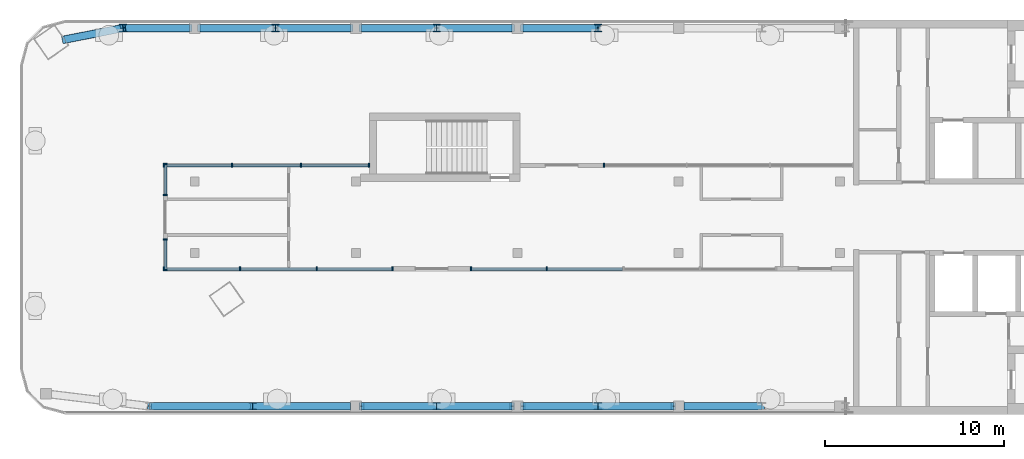
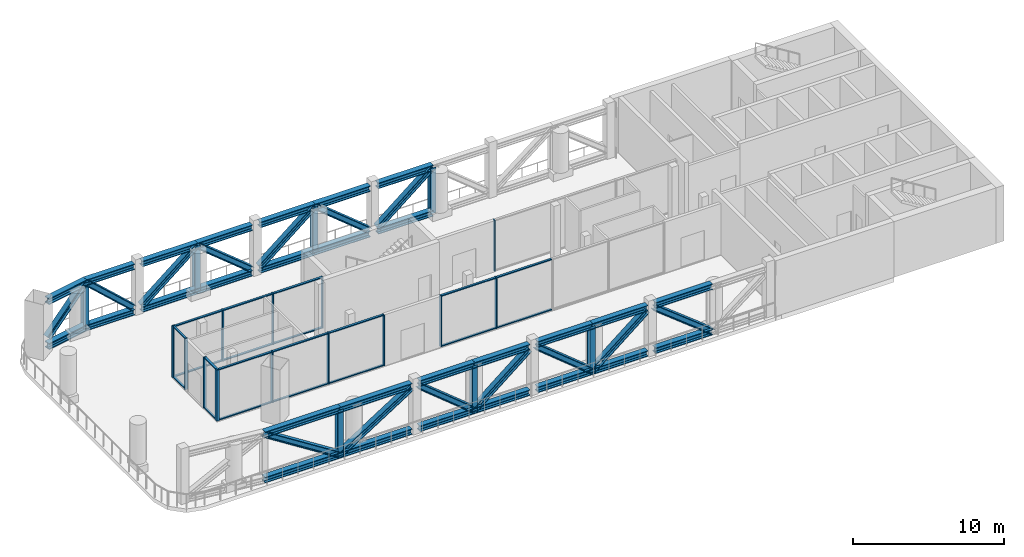
# One storey, part 2 of 9: 84 members, 6 elements without a shape of their own.
"""IFC4 building model written with IfcOpenShell, lengths in metres."""

from ifc_helpers import new_model, si_unit, direction, frame, origin, origin_2d, place, context, subcontext, project, spatial, rectangle, i_section, extrude, material, material_profile, profile_set, type_object, element, aggregate, save


model = new_model("IFC4")

# Units and contexts
model_context = context("Model", 3, precision=1e-05, world=origin(), true_north=direction((0.0, 1.0)))
body_context = subcontext(model_context, "Body", "Model", "MODEL_VIEW")
ifc_project = project(units=[si_unit("LENGTHUNIT", "METRE"), si_unit("AREAUNIT", "SQUARE_METRE"), si_unit("VOLUMEUNIT", "CUBIC_METRE"), si_unit("PLANEANGLEUNIT", "RADIAN"), si_unit("MASSUNIT", "GRAM", prefix="KILO")], contexts=[model_context])

# Site, building, storey
site_placement = place(None, origin())
site = spatial("IfcSite", under=ifc_project, at=site_placement, CompositionType="ELEMENT")
building_placement = place(site_placement, origin())
building = spatial("IfcBuilding", under=site, at=building_placement, Name="Skarvind Civic Tower", CompositionType="ELEMENT")
storey_placement = place(building_placement, frame((0.0, 0.0, 277.5)))
storey = spatial("IfcBuildingStorey", under=building, at=storey_placement, Name="L66", CompositionType="ELEMENT", Elevation=277.5)

# Curtain wall, members
ifc_material_1 = material(Name="Aluminium alloy 6063 and laminated glass", Category="aluminium")
curtain_wall_type = type_object("IfcCurtainWallType", Name="CW5 CROWN GALLERY LANTERN", PredefinedType="NOTDEFINED", material=ifc_material_1)
curtain_wall_1_placement = place(storey_placement, origin())
curtain_wall_1 = element("IfcCurtainWall", 1, at=curtain_wall_1_placement, inside=storey, type_object=curtain_wall_type, Name="CROWN GALLERY LANTERN", PredefinedType="NOTDEFINED")
ifc_material_2 = material(Name="Aluminium alloy 6063", Category="aluminium")
ifc_material_profile_1 = material_profile(ifc_material_2, rectangle(XDim=0.219970703125, YDim=0.080078125, at=origin_2d()), Name="AL 80x220")
ifc_profile_set_1 = profile_set([ifc_material_profile_1], Name="Aluminium alloy 6063")
member_type_1 = type_object("IfcMemberType", Name="CW5 MULLION 80x220", PredefinedType="MULLION", material=ifc_profile_set_1)
member_1_placement = place(storey_placement, frame((52.5400390625, 130.889892578125, 0.0), z_axis=(0.0, 0.0, 1.0), x_axis=(0.0, 1.0, 0.0)))
member_1 = element("IfcMember", 2, at=member_1_placement, type_object=member_type_1, Name="CW5 mullion 1", PredefinedType="MULLION", context=body_context, shape_type="SweptSolid", body=[
    extrude(rectangle(XDim=0.219970703125, YDim=0.080078125, at=origin_2d()), origin(), (0.0, 0.0, 1.0), 4.125),
])
member_2_placement = place(storey_placement, frame((56.333251953125, 130.889892578125, 0.0), z_axis=(0.0, 0.0, 1.0), x_axis=(0.0, 1.0, 0.0)))
member_2 = element("IfcMember", 3, at=member_2_placement, type_object=member_type_1, Name="CW5 mullion 2", PredefinedType="MULLION", context=body_context, shape_type="SweptSolid", body=[
    extrude(rectangle(XDim=0.219970703125, YDim=0.080078125, at=origin_2d()), origin(), (0.0, 0.0, 1.0), 4.125),
])
member_3_placement = place(storey_placement, frame((60.166748046875, 130.889892578125, 0.0), z_axis=(0.0, 0.0, 1.0), x_axis=(0.0, 1.0, 0.0)))
member_3 = element("IfcMember", 4, at=member_3_placement, type_object=member_type_1, Name="CW5 mullion 3", PredefinedType="MULLION", context=body_context, shape_type="SweptSolid", body=[
    extrude(rectangle(XDim=0.219970703125, YDim=0.080078125, at=origin_2d()), origin(), (0.0, 0.0, 1.0), 4.125),
])
member_4_placement = place(storey_placement, frame((63.9599609375, 130.889892578125, 0.0), z_axis=(0.0, 0.0, 1.0), x_axis=(0.0, 1.0, 0.0)))
member_4 = element("IfcMember", 5, at=member_4_placement, type_object=member_type_1, Name="CW5 mullion 4", PredefinedType="MULLION", context=body_context, shape_type="SweptSolid", body=[
    extrude(rectangle(XDim=0.219970703125, YDim=0.080078125, at=origin_2d()), origin(), (0.0, 0.0, 1.0), 4.125),
])

curtain_wall_2_placement = place(storey_placement, origin())
curtain_wall_2 = element("IfcCurtainWall", 6, at=curtain_wall_2_placement, inside=storey, type_object=curtain_wall_type, Name="CROWN GALLERY LANTERN", PredefinedType="NOTDEFINED")
member_5_placement = place(storey_placement, frame((52.610107421875, 125.0400390625, 0.0), z_axis=(0.0, 0.0, 1.0), x_axis=(-1.0, 0.0, 0.0)))
member_5 = element("IfcMember", 7, at=member_5_placement, type_object=member_type_1, Name="CW5 mullion 1", PredefinedType="MULLION", context=body_context, shape_type="SweptSolid", body=[
    extrude(rectangle(XDim=0.219970703125, YDim=0.080078125, at=origin_2d()), origin(), (0.0, 0.0, 1.0), 4.125),
])
member_6_placement = place(storey_placement, frame((52.610107421875, 126.760009765625, 0.0), z_axis=(0.0, 0.0, 1.0), x_axis=(-1.0, 0.0, 0.0)))
member_6 = element("IfcMember", 8, at=member_6_placement, type_object=member_type_1, Name="CW5 mullion 2", PredefinedType="MULLION", context=body_context, shape_type="SweptSolid", body=[
    extrude(rectangle(XDim=0.219970703125, YDim=0.080078125, at=origin_2d()), origin(), (0.0, 0.0, 1.0), 4.125),
])

curtain_wall_3_placement = place(storey_placement, origin())
curtain_wall_3 = element("IfcCurtainWall", 9, at=curtain_wall_3_placement, inside=storey, type_object=curtain_wall_type, Name="CROWN GALLERY LANTERN", PredefinedType="NOTDEFINED")
member_7_placement = place(storey_placement, frame((52.610107421875, 129.239990234375, 0.0), z_axis=(0.0, 0.0, 1.0), x_axis=(-1.0, 0.0, 0.0)))
member_7 = element("IfcMember", 10, at=member_7_placement, type_object=member_type_1, Name="CW5 mullion 1", PredefinedType="MULLION", context=body_context, shape_type="SweptSolid", body=[
    extrude(rectangle(XDim=0.219970703125, YDim=0.080078125, at=origin_2d()), origin(), (0.0, 0.0, 1.0), 4.125),
])
member_8_placement = place(storey_placement, frame((52.610107421875, 130.9599609375, 0.0), z_axis=(0.0, 0.0, 1.0), x_axis=(-1.0, 0.0, 0.0)))
member_8 = element("IfcMember", 11, at=member_8_placement, type_object=member_type_1, Name="CW5 mullion 2", PredefinedType="MULLION", context=body_context, shape_type="SweptSolid", body=[
    extrude(rectangle(XDim=0.219970703125, YDim=0.080078125, at=origin_2d()), origin(), (0.0, 0.0, 1.0), 4.125),
])

curtain_wall_4_placement = place(storey_placement, origin())
curtain_wall_4 = element("IfcCurtainWall", 12, at=curtain_wall_4_placement, inside=storey, type_object=curtain_wall_type, Name="CROWN GALLERY LANTERN", PredefinedType="NOTDEFINED")
member_9_placement = place(storey_placement, frame((73.888916015625, 125.110107421875, 0.0), z_axis=(0.0, 0.0, 1.0), x_axis=(0.0, -1.0, 0.0)))
member_9 = element("IfcMember", 13, at=member_9_placement, type_object=member_type_1, Name="CW5 mullion 4", PredefinedType="MULLION", context=body_context, shape_type="SweptSolid", body=[
    extrude(rectangle(XDim=0.219970703125, YDim=0.080078125, at=origin_2d()), origin(), (0.0, 0.0, 1.0), 4.125),
])
member_10_placement = place(storey_placement, frame((69.651123046875, 125.110107421875, 0.0), z_axis=(0.0, 0.0, 1.0), x_axis=(0.0, -1.0, 0.0)))
member_10 = element("IfcMember", 14, at=member_10_placement, type_object=member_type_1, Name="CW5 mullion 5", PredefinedType="MULLION", context=body_context, shape_type="SweptSolid", body=[
    extrude(rectangle(XDim=0.219970703125, YDim=0.080078125, at=origin_2d()), origin(), (0.0, 0.0, 1.0), 4.125),
])

curtain_wall_5_placement = place(storey_placement, origin())
curtain_wall_5 = element("IfcCurtainWall", 15, at=curtain_wall_5_placement, inside=storey, type_object=curtain_wall_type, Name="CROWN GALLERY LANTERN", PredefinedType="NOTDEFINED")
member_11_placement = place(storey_placement, frame((65.293212890625, 125.110107421875, 0.0), z_axis=(0.0, 0.0, 1.0), x_axis=(0.0, -1.0, 0.0)))
member_11 = element("IfcMember", 16, at=member_11_placement, type_object=member_type_1, Name="CW5 mullion 1", PredefinedType="MULLION", context=body_context, shape_type="SweptSolid", body=[
    extrude(rectangle(XDim=0.219970703125, YDim=0.080078125, at=origin_2d()), origin(), (0.0, 0.0, 1.0), 4.125),
])
member_12_placement = place(storey_placement, frame((61.055419921875, 125.110107421875, 0.0), z_axis=(0.0, 0.0, 1.0), x_axis=(0.0, -1.0, 0.0)))
member_12 = element("IfcMember", 17, at=member_12_placement, type_object=member_type_1, Name="CW5 mullion 2", PredefinedType="MULLION", context=body_context, shape_type="SweptSolid", body=[
    extrude(rectangle(XDim=0.219970703125, YDim=0.080078125, at=origin_2d()), origin(), (0.0, 0.0, 1.0), 4.125),
])
member_13_placement = place(storey_placement, frame((56.77783203125, 125.110107421875, 0.0), z_axis=(0.0, 0.0, 1.0), x_axis=(0.0, -1.0, 0.0)))
member_13 = element("IfcMember", 18, at=member_13_placement, type_object=member_type_1, Name="CW5 mullion 3", PredefinedType="MULLION", context=body_context, shape_type="SweptSolid", body=[
    extrude(rectangle(XDim=0.219970703125, YDim=0.080078125, at=origin_2d()), origin(), (0.0, 0.0, 1.0), 4.125),
])
member_14_placement = place(storey_placement, frame((52.5400390625, 125.110107421875, 0.0), z_axis=(0.0, 0.0, 1.0), x_axis=(0.0, -1.0, 0.0)))
member_14 = element("IfcMember", 19, at=member_14_placement, type_object=member_type_1, Name="CW5 mullion 4", PredefinedType="MULLION", context=body_context, shape_type="SweptSolid", body=[
    extrude(rectangle(XDim=0.219970703125, YDim=0.080078125, at=origin_2d()), origin(), (0.0, 0.0, 1.0), 4.125),
])

# Curtain wall, member
curtain_wall_6_placement = place(storey_placement, origin())
curtain_wall_6 = element("IfcCurtainWall", 20, at=curtain_wall_6_placement, inside=storey, type_object=curtain_wall_type, Name="CROWN GALLERY LANTERN", PredefinedType="NOTDEFINED")
member_15_placement = place(storey_placement, frame((77.090087890625, 130.889892578125, 0.0), z_axis=(0.0, 0.0, 1.0), x_axis=(0.0, 1.0, 0.0)))
member_15 = element("IfcMember", 21, at=member_15_placement, type_object=member_type_1, Name="CW5 mullion 1", PredefinedType="MULLION", context=body_context, shape_type="SweptSolid", body=[
    extrude(rectangle(XDim=0.219970703125, YDim=0.080078125, at=origin_2d()), origin(), (0.0, 0.0, 1.0), 4.125),
])
aggregate(curtain_wall_6, [member_15])

# Member
ifc_material_profile_2 = material_profile(ifc_material_2, rectangle(XDim=0.159912109375, YDim=0.080078125, at=origin_2d()), Name="AL 80x160")
ifc_profile_set_2 = profile_set([ifc_material_profile_2], Name="Aluminium alloy 6063")
member_type_2 = type_object("IfcMemberType", Name="CW5 TRANSOM 80x160", PredefinedType="USERDEFINED", material=ifc_profile_set_2)
member_16_placement = place(storey_placement, frame((52.580078125, 130.889892578125, 0.0400390625), z_axis=(1.0, 0.0, 0.0), x_axis=(0.0, 1.0, 0.0)))
member_16 = element("IfcMember", 22, at=member_16_placement, type_object=member_type_2, Name="CW5 transom 1.1", ObjectType="TRANSOM", PredefinedType="USERDEFINED", context=body_context, shape_type="SweptSolid", body=[
    extrude(rectangle(XDim=0.159912109375, YDim=0.080078125, at=origin_2d()), origin(), (0.0, 0.0, 1.0), 3.713134765625),
])

member_17_placement = place(storey_placement, frame((52.580078125, 130.889892578125, 4.0849609375), z_axis=(1.0, 0.0, 0.0), x_axis=(0.0, 1.0, 0.0)))
member_17 = element("IfcMember", 23, at=member_17_placement, type_object=member_type_2, Name="CW5 transom 1.2", ObjectType="TRANSOM", PredefinedType="USERDEFINED", context=body_context, shape_type="SweptSolid", body=[
    extrude(rectangle(XDim=0.159912109375, YDim=0.080078125, at=origin_2d()), origin(), (0.0, 0.0, 1.0), 3.713134765625),
])

member_18_placement = place(storey_placement, frame((56.373291015625, 130.889892578125, 0.0400390625), z_axis=(1.0, 0.0, 0.0), x_axis=(0.0, 1.0, 0.0)))
member_18 = element("IfcMember", 24, at=member_18_placement, type_object=member_type_2, Name="CW5 transom 2.1", ObjectType="TRANSOM", PredefinedType="USERDEFINED", context=body_context, shape_type="SweptSolid", body=[
    extrude(rectangle(XDim=0.159912109375, YDim=0.080078125, at=origin_2d()), origin(), (0.0, 0.0, 1.0), 3.75341796875),
])

member_19_placement = place(storey_placement, frame((56.373291015625, 130.889892578125, 4.0849609375), z_axis=(1.0, 0.0, 0.0), x_axis=(0.0, 1.0, 0.0)))
member_19 = element("IfcMember", 25, at=member_19_placement, type_object=member_type_2, Name="CW5 transom 2.2", ObjectType="TRANSOM", PredefinedType="USERDEFINED", context=body_context, shape_type="SweptSolid", body=[
    extrude(rectangle(XDim=0.159912109375, YDim=0.080078125, at=origin_2d()), origin(), (0.0, 0.0, 1.0), 3.75341796875),
])

member_20_placement = place(storey_placement, frame((60.206787109375, 130.889892578125, 0.0400390625), z_axis=(1.0, 0.0, 0.0), x_axis=(0.0, 1.0, 0.0)))
member_20 = element("IfcMember", 26, at=member_20_placement, type_object=member_type_2, Name="CW5 transom 3.1", ObjectType="TRANSOM", PredefinedType="USERDEFINED", context=body_context, shape_type="SweptSolid", body=[
    extrude(rectangle(XDim=0.159912109375, YDim=0.080078125, at=origin_2d()), origin(), (0.0, 0.0, 1.0), 3.713134765625),
])

member_21_placement = place(storey_placement, frame((60.206787109375, 130.889892578125, 4.0849609375), z_axis=(1.0, 0.0, 0.0), x_axis=(0.0, 1.0, 0.0)))
member_21 = element("IfcMember", 27, at=member_21_placement, type_object=member_type_2, Name="CW5 transom 3.2", ObjectType="TRANSOM", PredefinedType="USERDEFINED", context=body_context, shape_type="SweptSolid", body=[
    extrude(rectangle(XDim=0.159912109375, YDim=0.080078125, at=origin_2d()), origin(), (0.0, 0.0, 1.0), 3.713134765625),
])

aggregate(curtain_wall_1, [member_1, member_2, member_3, member_4, member_16, member_17, member_18, member_19, member_20, member_21])

member_22_placement = place(storey_placement, frame((52.610107421875, 125.080078125, 0.0400390625), z_axis=(0.0, 1.0, 0.0), x_axis=(-1.0, 0.0, 0.0)))
member_22 = element("IfcMember", 28, at=member_22_placement, type_object=member_type_2, Name="CW5 transom 1.1", ObjectType="TRANSOM", PredefinedType="USERDEFINED", context=body_context, shape_type="SweptSolid", body=[
    extrude(rectangle(XDim=0.159912109375, YDim=0.080078125, at=origin_2d()), origin(), (0.0, 0.0, 1.0), 1.639892578125),
])

member_23_placement = place(storey_placement, frame((52.610107421875, 125.080078125, 4.0849609375), z_axis=(0.0, 1.0, 0.0), x_axis=(-1.0, 0.0, 0.0)))
member_23 = element("IfcMember", 29, at=member_23_placement, type_object=member_type_2, Name="CW5 transom 1.2", ObjectType="TRANSOM", PredefinedType="USERDEFINED", context=body_context, shape_type="SweptSolid", body=[
    extrude(rectangle(XDim=0.159912109375, YDim=0.080078125, at=origin_2d()), origin(), (0.0, 0.0, 1.0), 1.639892578125),
])

aggregate(curtain_wall_2, [member_5, member_6, member_22, member_23])

member_24_placement = place(storey_placement, frame((52.610107421875, 129.280029296875, 0.0400390625), z_axis=(0.0, 1.0, 0.0), x_axis=(-1.0, 0.0, 0.0)))
member_24 = element("IfcMember", 30, at=member_24_placement, type_object=member_type_2, Name="CW5 transom 1.1", ObjectType="TRANSOM", PredefinedType="USERDEFINED", context=body_context, shape_type="SweptSolid", body=[
    extrude(rectangle(XDim=0.159912109375, YDim=0.080078125, at=origin_2d()), origin(), (0.0, 0.0, 1.0), 1.639892578125),
])

member_25_placement = place(storey_placement, frame((52.610107421875, 129.280029296875, 4.0849609375), z_axis=(0.0, 1.0, 0.0), x_axis=(-1.0, 0.0, 0.0)))
member_25 = element("IfcMember", 31, at=member_25_placement, type_object=member_type_2, Name="CW5 transom 1.2", ObjectType="TRANSOM", PredefinedType="USERDEFINED", context=body_context, shape_type="SweptSolid", body=[
    extrude(rectangle(XDim=0.159912109375, YDim=0.080078125, at=origin_2d()), origin(), (0.0, 0.0, 1.0), 1.639892578125),
])

aggregate(curtain_wall_3, [member_7, member_8, member_24, member_25])

member_26_placement = place(storey_placement, frame((78.126708984375, 125.110107421875, 0.0400390625), z_axis=(-1.0, 0.0, 0.0), x_axis=(0.0, -1.0, 0.0)))
member_26 = element("IfcMember", 32, at=member_26_placement, type_object=member_type_2, Name="CW5 transom 3.1", ObjectType="TRANSOM", PredefinedType="USERDEFINED", context=body_context, shape_type="SweptSolid", body=[
    extrude(rectangle(XDim=0.159912109375, YDim=0.080078125, at=origin_2d()), origin(), (0.0, 0.0, 1.0), 4.19775390625),
])

member_27_placement = place(storey_placement, frame((78.126708984375, 125.110107421875, 4.0849609375), z_axis=(-1.0, 0.0, 0.0), x_axis=(0.0, -1.0, 0.0)))
member_27 = element("IfcMember", 33, at=member_27_placement, type_object=member_type_2, Name="CW5 transom 3.2", ObjectType="TRANSOM", PredefinedType="USERDEFINED", context=body_context, shape_type="SweptSolid", body=[
    extrude(rectangle(XDim=0.159912109375, YDim=0.080078125, at=origin_2d()), origin(), (0.0, 0.0, 1.0), 4.19775390625),
])

member_28_placement = place(storey_placement, frame((73.848876953125, 125.110107421875, 0.0400390625), z_axis=(-1.0, 0.0, 0.0), x_axis=(0.0, -1.0, 0.0)))
member_28 = element("IfcMember", 34, at=member_28_placement, type_object=member_type_2, Name="CW5 transom 4.1", ObjectType="TRANSOM", PredefinedType="USERDEFINED", context=body_context, shape_type="SweptSolid", body=[
    extrude(rectangle(XDim=0.159912109375, YDim=0.080078125, at=origin_2d()), origin(), (0.0, 0.0, 1.0), 4.15771484375),
])

member_29_placement = place(storey_placement, frame((73.848876953125, 125.110107421875, 4.0849609375), z_axis=(-1.0, 0.0, 0.0), x_axis=(0.0, -1.0, 0.0)))
member_29 = element("IfcMember", 35, at=member_29_placement, type_object=member_type_2, Name="CW5 transom 4.2", ObjectType="TRANSOM", PredefinedType="USERDEFINED", context=body_context, shape_type="SweptSolid", body=[
    extrude(rectangle(XDim=0.159912109375, YDim=0.080078125, at=origin_2d()), origin(), (0.0, 0.0, 1.0), 4.15771484375),
])

aggregate(curtain_wall_4, [member_9, member_10, member_26, member_27, member_28, member_29])

member_30_placement = place(storey_placement, frame((65.25341796875, 125.110107421875, 0.0400390625), z_axis=(-1.0, 0.0, 0.0), x_axis=(0.0, -1.0, 0.0)))
member_30 = element("IfcMember", 36, at=member_30_placement, type_object=member_type_2, Name="CW5 transom 1.1", ObjectType="TRANSOM", PredefinedType="USERDEFINED", context=body_context, shape_type="SweptSolid", body=[
    extrude(rectangle(XDim=0.159912109375, YDim=0.080078125, at=origin_2d()), origin(), (0.0, 0.0, 1.0), 4.157958984375),
])

member_31_placement = place(storey_placement, frame((65.25341796875, 125.110107421875, 4.0849609375), z_axis=(-1.0, 0.0, 0.0), x_axis=(0.0, -1.0, 0.0)))
member_31 = element("IfcMember", 37, at=member_31_placement, type_object=member_type_2, Name="CW5 transom 1.2", ObjectType="TRANSOM", PredefinedType="USERDEFINED", context=body_context, shape_type="SweptSolid", body=[
    extrude(rectangle(XDim=0.159912109375, YDim=0.080078125, at=origin_2d()), origin(), (0.0, 0.0, 1.0), 4.157958984375),
])

member_32_placement = place(storey_placement, frame((61.015625, 125.110107421875, 0.0400390625), z_axis=(-1.0, 0.0, 0.0), x_axis=(0.0, -1.0, 0.0)))
member_32 = element("IfcMember", 38, at=member_32_placement, type_object=member_type_2, Name="CW5 transom 2.1", ObjectType="TRANSOM", PredefinedType="USERDEFINED", context=body_context, shape_type="SweptSolid", body=[
    extrude(rectangle(XDim=0.159912109375, YDim=0.080078125, at=origin_2d()), origin(), (0.0, 0.0, 1.0), 4.19775390625),
])

member_33_placement = place(storey_placement, frame((61.015625, 125.110107421875, 4.0849609375), z_axis=(-1.0, 0.0, 0.0), x_axis=(0.0, -1.0, 0.0)))
member_33 = element("IfcMember", 39, at=member_33_placement, type_object=member_type_2, Name="CW5 transom 2.2", ObjectType="TRANSOM", PredefinedType="USERDEFINED", context=body_context, shape_type="SweptSolid", body=[
    extrude(rectangle(XDim=0.159912109375, YDim=0.080078125, at=origin_2d()), origin(), (0.0, 0.0, 1.0), 4.19775390625),
])

member_34_placement = place(storey_placement, frame((56.73779296875, 125.110107421875, 0.0400390625), z_axis=(-1.0, 0.0, 0.0), x_axis=(0.0, -1.0, 0.0)))
member_34 = element("IfcMember", 40, at=member_34_placement, type_object=member_type_2, Name="CW5 transom 3.1", ObjectType="TRANSOM", PredefinedType="USERDEFINED", context=body_context, shape_type="SweptSolid", body=[
    extrude(rectangle(XDim=0.159912109375, YDim=0.080078125, at=origin_2d()), origin(), (0.0, 0.0, 1.0), 4.15771484375),
])

member_35_placement = place(storey_placement, frame((56.73779296875, 125.110107421875, 4.0849609375), z_axis=(-1.0, 0.0, 0.0), x_axis=(0.0, -1.0, 0.0)))
member_35 = element("IfcMember", 41, at=member_35_placement, type_object=member_type_2, Name="CW5 transom 3.2", ObjectType="TRANSOM", PredefinedType="USERDEFINED", context=body_context, shape_type="SweptSolid", body=[
    extrude(rectangle(XDim=0.159912109375, YDim=0.080078125, at=origin_2d()), origin(), (0.0, 0.0, 1.0), 4.15771484375),
])

aggregate(curtain_wall_5, [member_11, member_12, member_13, member_14, member_30, member_31, member_32, member_33, member_34, member_35])

# Members
ifc_material_3 = material(Name="Steel SM355", Category="steel")
ifc_material_profile_3 = material_profile(ifc_material_3, i_section(OverallWidth=0.4169921875, OverallDepth=0.4580078125, WebThickness=0.030029296875, FlangeThickness=0.050048828125, FilletRadius=0.02197265625, at=origin_2d()), Name="H-458x417x30x50")
ifc_profile_set_3 = profile_set([ifc_material_profile_3], Name="Steel SM355")
member_type_3 = type_object("IfcMemberType", Name="Truss chord H-458x417x30x50 SM355", PredefinedType="CHORD", material=ifc_profile_set_3)
for number, where, z_axis, x_axis, name in (
    (42, (50.24853515625, 138.550048828125, 0.22900390625), (1.0, 0.0, 0.0), (0.0, 1.0, 0.0), "Belt truss L66 W1N chord"),
    (43, (50.24853515625, 138.550048828125, 3.89599609375), (1.0, 0.0, 0.0), (0.0, 1.0, 0.0), "Belt truss L66 W1N chord"),
):
    element("IfcMember", number, at=place(storey_placement, frame(where, z_axis=z_axis, x_axis=x_axis)), inside=storey, type_object=member_type_3, Name=name, PredefinedType="CHORD", context=body_context, shape_type="SweptSolid", body=[
        extrude(i_section(OverallWidth=0.4169921875, OverallDepth=0.4580078125, WebThickness=0.030029296875, FlangeThickness=0.050048828125, FilletRadius=0.02197265625, at=origin_2d()), origin(), (0.0, 0.0, 1.0), 3.701416015625),
    ])
for number, where, z_axis, x_axis, name in (
    (44, (54.550048828125, 138.550048828125, 0.22900390625), (1.0, 0.0, 0.0), (0.0, 1.0, 0.0), "Belt truss L66 W1N chord"),
    (45, (54.550048828125, 138.550048828125, 3.89599609375), (1.0, 0.0, 0.0), (0.0, 1.0, 0.0), "Belt truss L66 W1N chord"),
    (46, (58.75, 138.550048828125, 0.22900390625), (1.0, 0.0, 0.0), (0.0, 1.0, 0.0), "Belt truss L66 W1N chord"),
    (47, (58.75, 138.550048828125, 3.89599609375), (1.0, 0.0, 0.0), (0.0, 1.0, 0.0), "Belt truss L66 W1N chord"),
    (48, (63.550048828125, 138.550048828125, 0.22900390625), (1.0, 0.0, 0.0), (0.0, 1.0, 0.0), "Belt truss L66 W1N chord"),
    (49, (63.550048828125, 138.550048828125, 3.89599609375), (1.0, 0.0, 0.0), (0.0, 1.0, 0.0), "Belt truss L66 W1N chord"),
    (50, (67.75, 138.550048828125, 0.22900390625), (1.0, 0.0, 0.0), (0.0, 1.0, 0.0), "Belt truss L66 W1N chord"),
    (51, (67.75, 138.550048828125, 3.89599609375), (1.0, 0.0, 0.0), (0.0, 1.0, 0.0), "Belt truss L66 W1N chord"),
    (52, (72.550048828125, 138.550048828125, 0.22900390625), (1.0, 0.0, 0.0), (0.0, 1.0, 0.0), "Belt truss L66 W1N chord"),
    (53, (72.550048828125, 138.550048828125, 3.89599609375), (1.0, 0.0, 0.0), (0.0, 1.0, 0.0), "Belt truss L66 W1N chord"),
):
    element("IfcMember", number, at=place(storey_placement, frame(where, z_axis=z_axis, x_axis=x_axis)), inside=storey, type_object=member_type_3, Name=name, PredefinedType="CHORD", context=body_context, shape_type="SweptSolid", body=[
        extrude(i_section(OverallWidth=0.4169921875, OverallDepth=0.4580078125, WebThickness=0.030029296875, FlangeThickness=0.050048828125, FilletRadius=0.02197265625, at=origin_2d()), origin(), (0.0, 0.0, 1.0), 4.199951171875),
    ])
for number, where, z_axis, x_axis, name in (
    (54, (51.7177734375, 117.449951171875, 0.22900390625), (1.0, 0.0, 0.0), (0.0, 1.0, 0.0), "Belt truss L66 W1S chord"),
    (55, (51.7177734375, 117.449951171875, 3.89599609375), (1.0, 0.0, 0.0), (0.0, 1.0, 0.0), "Belt truss L66 W1S chord"),
):
    element("IfcMember", number, at=place(storey_placement, frame(where, z_axis=z_axis, x_axis=x_axis)), inside=storey, type_object=member_type_3, Name=name, PredefinedType="CHORD", context=body_context, shape_type="SweptSolid", body=[
        extrude(i_section(OverallWidth=0.4169921875, OverallDepth=0.4580078125, WebThickness=0.030029296875, FlangeThickness=0.050048828125, FilletRadius=0.02197265625, at=origin_2d()), origin(), (0.0, 0.0, 1.0), 5.76611328125),
    ])
for number, where, z_axis, x_axis, name in (
    (56, (57.48388671875, 117.449951171875, 0.22900390625), (1.0, 0.0, 0.0), (0.0, 1.0, 0.0), "Belt truss L66 W1S chord"),
    (57, (57.48388671875, 117.449951171875, 3.89599609375), (1.0, 0.0, 0.0), (0.0, 1.0, 0.0), "Belt truss L66 W1S chord"),
):
    element("IfcMember", number, at=place(storey_placement, frame(where, z_axis=z_axis, x_axis=x_axis)), inside=storey, type_object=member_type_3, Name=name, PredefinedType="CHORD", context=body_context, shape_type="SweptSolid", body=[
        extrude(i_section(OverallWidth=0.4169921875, OverallDepth=0.4580078125, WebThickness=0.030029296875, FlangeThickness=0.050048828125, FilletRadius=0.02197265625, at=origin_2d()), origin(), (0.0, 0.0, 1.0), 5.466064453125),
    ])
for number, where, z_axis, x_axis, name in (
    (58, (63.550048828125, 117.449951171875, 0.22900390625), (1.0, 0.0, 0.0), (0.0, 1.0, 0.0), "Belt truss L66 W1S chord"),
    (59, (63.550048828125, 117.449951171875, 3.89599609375), (1.0, 0.0, 0.0), (0.0, 1.0, 0.0), "Belt truss L66 W1S chord"),
    (60, (67.75, 117.449951171875, 0.22900390625), (1.0, 0.0, 0.0), (0.0, 1.0, 0.0), "Belt truss L66 W1S chord"),
    (61, (67.75, 117.449951171875, 3.89599609375), (1.0, 0.0, 0.0), (0.0, 1.0, 0.0), "Belt truss L66 W1S chord"),
    (62, (72.550048828125, 117.449951171875, 0.22900390625), (1.0, 0.0, 0.0), (0.0, 1.0, 0.0), "Belt truss L66 W1S chord"),
    (63, (72.550048828125, 117.449951171875, 3.89599609375), (1.0, 0.0, 0.0), (0.0, 1.0, 0.0), "Belt truss L66 W1S chord"),
    (64, (76.75, 117.449951171875, 0.22900390625), (1.0, 0.0, 0.0), (0.0, 1.0, 0.0), "Belt truss L66 W1S chord"),
    (65, (76.75, 117.449951171875, 3.89599609375), (1.0, 0.0, 0.0), (0.0, 1.0, 0.0), "Belt truss L66 W1S chord"),
):
    element("IfcMember", number, at=place(storey_placement, frame(where, z_axis=z_axis, x_axis=x_axis)), inside=storey, type_object=member_type_3, Name=name, PredefinedType="CHORD", context=body_context, shape_type="SweptSolid", body=[
        extrude(i_section(OverallWidth=0.4169921875, OverallDepth=0.4580078125, WebThickness=0.030029296875, FlangeThickness=0.050048828125, FilletRadius=0.02197265625, at=origin_2d()), origin(), (0.0, 0.0, 1.0), 4.199951171875),
    ])
for number, where, z_axis, x_axis, name in (
    (66, (81.550048828125, 117.449951171875, 0.22900390625), (1.0, 0.0, 0.0), (0.0, 1.0, 0.0), "Belt truss L66 W1S chord"),
    (67, (81.550048828125, 117.449951171875, 3.89599609375), (1.0, 0.0, 0.0), (0.0, 1.0, 0.0), "Belt truss L66 W1S chord"),
):
    element("IfcMember", number, at=place(storey_placement, frame(where, z_axis=z_axis, x_axis=x_axis)), inside=storey, type_object=member_type_3, Name=name, PredefinedType="CHORD", context=body_context, shape_type="SweptSolid", body=[
        extrude(i_section(OverallWidth=0.4169921875, OverallDepth=0.4580078125, WebThickness=0.030029296875, FlangeThickness=0.050048828125, FilletRadius=0.02197265625, at=origin_2d()), origin(), (0.0, 0.0, 1.0), 4.349853515625),
    ])
ifc_material_profile_4 = material_profile(ifc_material_3, i_section(OverallWidth=0.431884765625, OverallDepth=0.498046875, WebThickness=0.044921875, FlangeThickness=0.070068359375, FilletRadius=0.02197265625, at=origin_2d()), Name="H-498x432x45x70")
ifc_profile_set_4 = profile_set([ifc_material_profile_4], Name="Steel SM355")
member_type_4 = type_object("IfcMemberType", Name="Truss chord H-498x432x45x70 SM355", PredefinedType="CHORD", material=ifc_profile_set_4)
for number, where, z_axis, x_axis, name in (
    (68, (46.998046875, 137.91015625, 0.2490234375), (0.981168592645, 0.193153288367, 0.0), (-0.193153288367, 0.981168592645, 0.0), "Belt truss L66 W1N chord"),
    (69, (46.998046875, 137.91015625, 3.8759765625), (0.981168592645, 0.193153288367, 0.0), (-0.193153288367, 0.981168592645, 0.0), "Belt truss L66 W1N chord"),
):
    element("IfcMember", number, at=place(storey_placement, frame(where, z_axis=z_axis, x_axis=x_axis)), inside=storey, type_object=member_type_4, Name=name, PredefinedType="CHORD", context=body_context, shape_type="SweptSolid", body=[
        extrude(i_section(OverallWidth=0.431884765625, OverallDepth=0.498046875, WebThickness=0.044921875, FlangeThickness=0.070068359375, FilletRadius=0.02197265625, at=origin_2d()), origin(), (0.0, 0.0, 1.0), 3.31298828125),
    ])
ifc_material_profile_5 = material_profile(ifc_material_3, i_section(OverallWidth=0.406982421875, OverallDepth=0.427978515625, WebThickness=0.02001953125, FlangeThickness=0.034912109375, FilletRadius=0.02197265625, at=origin_2d()), Name="H-428x407x20x35")
ifc_profile_set_5 = profile_set([ifc_material_profile_5], Name="Steel SM355")
member_type_5 = type_object("IfcMemberType", Name="Truss diagonal H-428x407x20x35 SM355", PredefinedType="BRACE", material=ifc_profile_set_5)
member_36_placement = place(storey_placement, frame((46.998046875, 137.91015625, 0.917236328125), z_axis=(0.729606388759, 0.143630640299, 0.668614056575), x_axis=(-0.193153288367, 0.981168592645, 0.0)))
element("IfcMember", 70, at=member_36_placement, inside=storey, type_object=member_type_5, Name="Belt truss L66 W1N diagonal", PredefinedType="BRACE", context=body_context, shape_type="SweptSolid", body=[
    extrude(i_section(OverallWidth=0.406982421875, OverallDepth=0.427978515625, WebThickness=0.02001953125, FlangeThickness=0.034912109375, FilletRadius=0.02197265625, at=origin_2d()), origin(), (0.0, 0.0, 1.0), 4.455078125),
])
member_37_placement = place(storey_placement, frame((50.24853515625, 138.550048828125, 3.89599609375), z_axis=(0.737240929549, 0.0, -0.67562993702), x_axis=(0.0, 1.0, 0.0)))
element("IfcMember", 71, at=member_37_placement, inside=storey, type_object=member_type_5, Name="Belt truss L66 W1N diagonal", PredefinedType="BRACE", context=body_context, shape_type="SweptSolid", body=[
    extrude(i_section(OverallWidth=0.406982421875, OverallDepth=0.427978515625, WebThickness=0.02001953125, FlangeThickness=0.034912109375, FilletRadius=0.02197265625, at=origin_2d()), origin(), (0.0, 0.0, 1.0), 5.020751953125),
])
for number, where, z_axis, x_axis, name in (
    (72, (54.550048828125, 138.550048828125, 0.473388671875), (0.775196572042, 0.0, 0.631720092046), (0.0, 1.0, 0.0), "Belt truss L66 W1N diagonal"),
    (73, (58.75, 138.550048828125, 3.89599609375), (0.775196572042, 0.0, -0.631720092046), (0.0, 1.0, 0.0), "Belt truss L66 W1N diagonal"),
    (74, (63.550048828125, 138.550048828125, 0.473388671875), (0.775196572042, 0.0, 0.631720092046), (0.0, 1.0, 0.0), "Belt truss L66 W1N diagonal"),
    (75, (67.75, 138.550048828125, 3.89599609375), (0.775196572042, 0.0, -0.631720092046), (0.0, 1.0, 0.0), "Belt truss L66 W1N diagonal"),
    (76, (72.550048828125, 138.550048828125, 0.473388671875), (0.775196572042, 0.0, 0.631720092046), (0.0, 1.0, 0.0), "Belt truss L66 W1N diagonal"),
):
    element("IfcMember", number, at=place(storey_placement, frame(where, z_axis=z_axis, x_axis=x_axis)), inside=storey, type_object=member_type_5, Name=name, PredefinedType="BRACE", context=body_context, shape_type="SweptSolid", body=[
        extrude(i_section(OverallWidth=0.406982421875, OverallDepth=0.427978515625, WebThickness=0.02001953125, FlangeThickness=0.034912109375, FilletRadius=0.02197265625, at=origin_2d()), origin(), (0.0, 0.0, 1.0), 5.41796875),
    ])
member_38_placement = place(storey_placement, frame((51.7177734375, 117.449951171875, 3.89599609375), z_axis=(0.843817393152, 0.0, -0.53663041939), x_axis=(0.0, 1.0, 0.0)))
element("IfcMember", 77, at=member_38_placement, inside=storey, type_object=member_type_5, Name="Belt truss L66 W1S diagonal", PredefinedType="BRACE", context=body_context, shape_type="SweptSolid", body=[
    extrude(i_section(OverallWidth=0.406982421875, OverallDepth=0.427978515625, WebThickness=0.02001953125, FlangeThickness=0.034912109375, FilletRadius=0.02197265625, at=origin_2d()), origin(), (0.0, 0.0, 1.0), 6.833251953125),
])
member_39_placement = place(storey_placement, frame((57.48388671875, 117.449951171875, 0.22900390625), z_axis=(0.843807333168, 0.0, 0.53664623775), x_axis=(0.0, 1.0, 0.0)))
element("IfcMember", 78, at=member_39_placement, inside=storey, type_object=member_type_5, Name="Belt truss L66 W1S diagonal", PredefinedType="BRACE", context=body_context, shape_type="SweptSolid", body=[
    extrude(i_section(OverallWidth=0.406982421875, OverallDepth=0.427978515625, WebThickness=0.02001953125, FlangeThickness=0.034912109375, FilletRadius=0.02197265625, at=origin_2d()), origin(), (0.0, 0.0, 1.0), 6.477783203125),
])
for number, where, z_axis, x_axis, name in (
    (79, (63.550048828125, 117.449951171875, 3.651611328125), (0.775196572042, 0.0, -0.631720092046), (0.0, 1.0, 0.0), "Belt truss L66 W1S diagonal"),
    (80, (67.75, 117.449951171875, 0.22900390625), (0.775196572042, 0.0, 0.631720092046), (0.0, 1.0, 0.0), "Belt truss L66 W1S diagonal"),
    (81, (72.550048828125, 117.449951171875, 3.651611328125), (0.775196572042, 0.0, -0.631720092046), (0.0, 1.0, 0.0), "Belt truss L66 W1S diagonal"),
    (82, (76.75, 117.449951171875, 0.22900390625), (0.775196572042, 0.0, 0.631720092046), (0.0, 1.0, 0.0), "Belt truss L66 W1S diagonal"),
):
    element("IfcMember", number, at=place(storey_placement, frame(where, z_axis=z_axis, x_axis=x_axis)), inside=storey, type_object=member_type_5, Name=name, PredefinedType="BRACE", context=body_context, shape_type="SweptSolid", body=[
        extrude(i_section(OverallWidth=0.406982421875, OverallDepth=0.427978515625, WebThickness=0.02001953125, FlangeThickness=0.034912109375, FilletRadius=0.02197265625, at=origin_2d()), origin(), (0.0, 0.0, 1.0), 5.41796875),
    ])
member_40_placement = place(storey_placement, frame((81.550048828125, 117.449951171875, 3.659423828125), z_axis=(0.785205291791, 0.0, -0.619235536564), x_axis=(0.0, 1.0, 0.0)))
element("IfcMember", 83, at=member_40_placement, inside=storey, type_object=member_type_5, Name="Belt truss L66 W1S diagonal", PredefinedType="BRACE", context=body_context, shape_type="SweptSolid", body=[
    extrude(i_section(OverallWidth=0.406982421875, OverallDepth=0.427978515625, WebThickness=0.02001953125, FlangeThickness=0.034912109375, FilletRadius=0.02197265625, at=origin_2d()), origin(), (0.0, 0.0, 1.0), 5.539794921875),
])
ifc_material_profile_6 = material_profile(ifc_material_3, i_section(OverallWidth=0.407958984375, OverallDepth=0.39990234375, WebThickness=0.02099609375, FlangeThickness=0.02099609375, FilletRadius=0.02197265625, at=origin_2d()), Name="H-400x408x21x21")
ifc_profile_set_6 = profile_set([ifc_material_profile_6], Name="Steel SM355")
member_type_6 = type_object("IfcMemberType", Name="Truss post H-400x408x21x21 SM355", PredefinedType="POST", material=ifc_profile_set_6)
for number, where, z_axis, x_axis, name in (
    (84, (50.24853515625, 138.550048828125, 0.22900390625), (0.0, 0.0, 1.0), (1.0, 0.0, 0.0), "Belt truss L66 W1N post"),
    (85, (58.75, 138.550048828125, 0.22900390625), (0.0, 0.0, 1.0), (1.0, 0.0, 0.0), "Belt truss L66 W1N post"),
    (86, (67.75, 138.550048828125, 0.22900390625), (0.0, 0.0, 1.0), (1.0, 0.0, 0.0), "Belt truss L66 W1N post"),
    (87, (76.75, 138.550048828125, 0.22900390625), (0.0, 0.0, 1.0), (1.0, 0.0, 0.0), "Belt truss L66 W1N post"),
    (88, (57.48388671875, 117.449951171875, 0.22900390625), (0.0, 0.0, 1.0), (1.0, 0.0, 0.0), "Belt truss L66 W1S post"),
    (89, (67.75, 117.449951171875, 0.22900390625), (0.0, 0.0, 1.0), (1.0, 0.0, 0.0), "Belt truss L66 W1S post"),
    (90, (76.75, 117.449951171875, 0.22900390625), (0.0, 0.0, 1.0), (1.0, 0.0, 0.0), "Belt truss L66 W1S post"),
):
    element("IfcMember", number, at=place(storey_placement, frame(where, z_axis=z_axis, x_axis=x_axis)), inside=storey, type_object=member_type_6, Name=name, PredefinedType="POST", context=body_context, shape_type="SweptSolid", body=[
        extrude(i_section(OverallWidth=0.407958984375, OverallDepth=0.39990234375, WebThickness=0.02099609375, FlangeThickness=0.02099609375, FilletRadius=0.02197265625, at=origin_2d()), origin(), (0.0, 0.0, 1.0), 3.6669921875),
    ])

save(model, "model.ifc")
